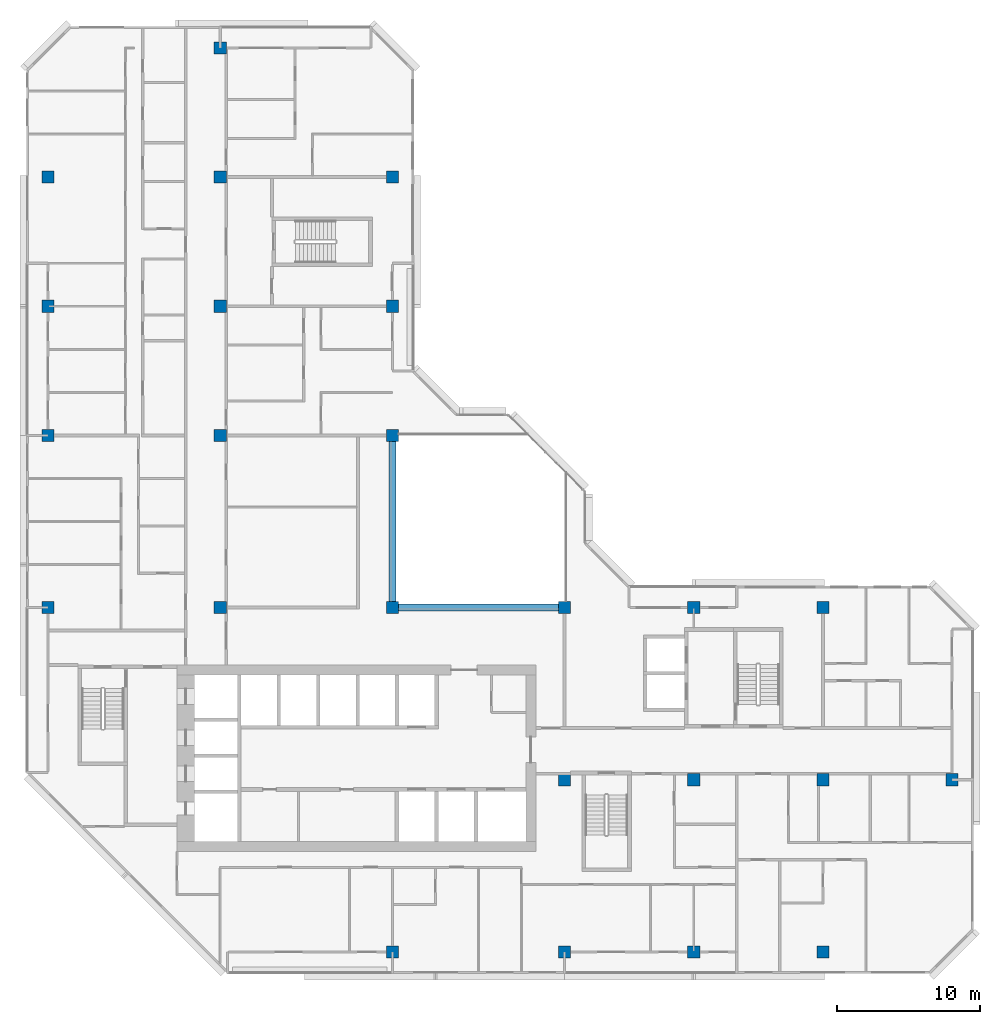
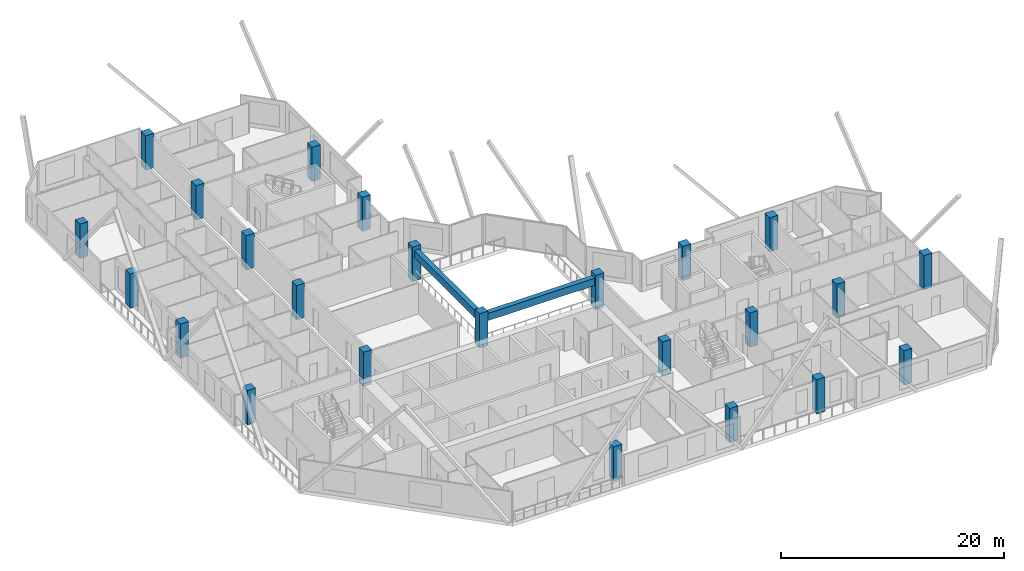
# One storey, part 1 of 15: 24 columns, 2 beams.
"""IFC4 building model written with IfcOpenShell, lengths in metres."""

from ifc_helpers import new_model, si_unit, direction, frame, origin, origin_2d, place, context, subcontext, project, spatial, rectangle, extrude, material, material_profile, profile_set, type_object, element, save


model = new_model("IFC4")

# Units and contexts
model_context = context("Model", 3, precision=1e-05, world=origin(), true_north=direction((0.0, 1.0)))
body_context = subcontext(model_context, "Body", "Model", "MODEL_VIEW")
ifc_project = project(units=[si_unit("LENGTHUNIT", "METRE"), si_unit("AREAUNIT", "SQUARE_METRE"), si_unit("VOLUMEUNIT", "CUBIC_METRE"), si_unit("PLANEANGLEUNIT", "RADIAN"), si_unit("MASSUNIT", "GRAM", prefix="KILO")], contexts=[model_context])

# Site, building, storey
site_placement = place(None, origin())
site = spatial("IfcSite", under=ifc_project, at=site_placement, CompositionType="ELEMENT")
building_placement = place(site_placement, origin())
building = spatial("IfcBuilding", under=site, at=building_placement, Name="Chenar Terraces", CompositionType="ELEMENT")
storey_placement = place(building_placement, frame((0.0, 0.0, 245.39990234375)))
storey = spatial("IfcBuildingStorey", under=building, at=storey_placement, Name="L58", CompositionType="ELEMENT", Elevation=245.39990234375)

# Columns
ifc_material_1 = material(Name="Concrete C60/75", Category="concrete")
ifc_material_profile_1 = material_profile(ifc_material_1, rectangle(XDim=0.85009765625, YDim=0.85009765625, at=origin_2d()), Name="C 850 x 850")
ifc_profile_set_1 = profile_set([ifc_material_profile_1], Name="Concrete C60/75")
column_type = type_object("IfcColumnType", Name="Column C 850 x 850 Concrete C60/75", PredefinedType="COLUMN", material=ifc_profile_set_1)
column_1_placement = place(storey_placement, frame((0.0, 24.0, 0.0), z_axis=(0.0, 0.0, 1.0), x_axis=(1.0, 0.0, 0.0)))
element("IfcColumn", 1, at=column_1_placement, inside=storey, type_object=column_type, Name="Column 5/G L58", PredefinedType="COLUMN", context=body_context, shape_type="SweptSolid", body=[
    extrude(rectangle(XDim=0.85009765625, YDim=0.85009765625, at=origin_2d()), origin(), (0.0, 0.0, 1.0), 3.75),
])
column_2_placement = place(storey_placement, frame((0.0, 36.0, 0.0), z_axis=(0.0, 0.0, 1.0), x_axis=(1.0, 0.0, 0.0)))
element("IfcColumn", 2, at=column_2_placement, inside=storey, type_object=column_type, Name="Column 5/H L58", PredefinedType="COLUMN", context=body_context, shape_type="SweptSolid", body=[
    extrude(rectangle(XDim=0.85009765625, YDim=0.85009765625, at=origin_2d()), origin(), (0.0, 0.0, 1.0), 3.75),
])
for number, where, z_axis, x_axis, name in (
    (3, (0.0, 45.0, 0.0), (0.0, 0.0, 1.0), (1.0, 0.0, 0.0), "Column 5/J L58"),
    (4, (0.0, 54.0, 0.0), (0.0, 0.0, 1.0), (1.0, 0.0, 0.0), "Column 5/K L58"),
    (5, (12.0, 24.0, 0.0), (0.0, 0.0, 1.0), (1.0, 0.0, 0.0), "Column 6/G L58"),
    (6, (12.0, 36.0, 0.0), (0.0, 0.0, 1.0), (1.0, 0.0, 0.0), "Column 6/H L58"),
    (7, (12.0, 45.0, 0.0), (0.0, 0.0, 1.0), (1.0, 0.0, 0.0), "Column 6/J L58"),
    (8, (12.0, 54.0, 0.0), (0.0, 0.0, 1.0), (1.0, 0.0, 0.0), "Column 6/K L58"),
    (9, (12.0, 63.0, 0.0), (0.0, 0.0, 1.0), (1.0, 0.0, 0.0), "Column 6/L L58"),
    (10, (24.0, 0.0, 0.0), (0.0, 0.0, 1.0), (1.0, 0.0, 0.0), "Column 7/E L58"),
    (11, (24.0, 24.0, 0.0), (0.0, 0.0, 1.0), (1.0, 0.0, 0.0), "Column 7/G L58"),
    (12, (24.0, 36.0, 0.0), (0.0, 0.0, 1.0), (1.0, 0.0, 0.0), "Column 7/H L58"),
    (13, (24.0, 45.0, 0.0), (0.0, 0.0, 1.0), (1.0, 0.0, 0.0), "Column 7/J L58"),
    (14, (24.0, 54.0, 0.0), (0.0, 0.0, 1.0), (1.0, 0.0, 0.0), "Column 7/K L58"),
    (15, (36.0, 0.0, 0.0), (0.0, 0.0, 1.0), (1.0, 0.0, 0.0), "Column 8/E L58"),
    (16, (36.0, 12.0, 0.0), (0.0, 0.0, 1.0), (1.0, 0.0, 0.0), "Column 8/F L58"),
    (17, (36.0, 24.0, 0.0), (0.0, 0.0, 1.0), (1.0, 0.0, 0.0), "Column 8/G L58"),
    (18, (45.0, 0.0, 0.0), (0.0, 0.0, 1.0), (1.0, 0.0, 0.0), "Column 9/E L58"),
    (19, (45.0, 12.0, 0.0), (0.0, 0.0, 1.0), (1.0, 0.0, 0.0), "Column 9/F L58"),
    (20, (45.0, 24.0, 0.0), (0.0, 0.0, 1.0), (1.0, 0.0, 0.0), "Column 9/G L58"),
    (21, (54.0, 0.0, 0.0), (0.0, 0.0, 1.0), (1.0, 0.0, 0.0), "Column 10/E L58"),
    (22, (54.0, 12.0, 0.0), (0.0, 0.0, 1.0), (1.0, 0.0, 0.0), "Column 10/F L58"),
    (23, (54.0, 24.0, 0.0), (0.0, 0.0, 1.0), (1.0, 0.0, 0.0), "Column 10/G L58"),
    (24, (63.0, 12.0, 0.0), (0.0, 0.0, 1.0), (1.0, 0.0, 0.0), "Column 11/F L58"),
):
    element("IfcColumn", number, at=place(storey_placement, frame(where, z_axis=z_axis, x_axis=x_axis)), inside=storey, type_object=column_type, Name=name, PredefinedType="COLUMN", context=body_context, shape_type="SweptSolid", body=[
        extrude(rectangle(XDim=0.85009765625, YDim=0.85009765625, at=origin_2d()), origin(), (0.0, 0.0, 1.0), 3.75),
    ])

# Beams
ifc_material_2 = material(Name="Concrete C40/50", Category="concrete")
ifc_material_profile_2 = material_profile(ifc_material_2, rectangle(XDim=0.5, YDim=0.800048828125, at=origin_2d()), Name="RC 500 x 800")
ifc_profile_set_2 = profile_set([ifc_material_profile_2], Name="Concrete C40/50")
beam_type = type_object("IfcBeamType", Name="Atrium edge beam 500 x 800 Concrete C40/50", PredefinedType="BEAM", material=ifc_profile_set_2)
for number, where, z_axis, x_axis, name in (
    (25, (24.425048828125, 24.0, 2.9501953125), (1.0, 0.0, 0.0), (0.0, 1.0, 0.0), "Atrium edge beam L59 1"),
    (26, (24.0, 35.574951171875, 2.9501953125), (0.0, -1.0, 0.0), (1.0, 0.0, 0.0), "Atrium edge beam L59 4"),
):
    element("IfcBeam", number, at=place(storey_placement, frame(where, z_axis=z_axis, x_axis=x_axis)), inside=storey, type_object=beam_type, Name=name, PredefinedType="BEAM", context=body_context, shape_type="SweptSolid", body=[
        extrude(rectangle(XDim=0.5, YDim=0.800048828125, at=origin_2d()), origin(), (0.0, 0.0, 1.0), 11.14990234375),
    ])

save(model, "model.ifc")
